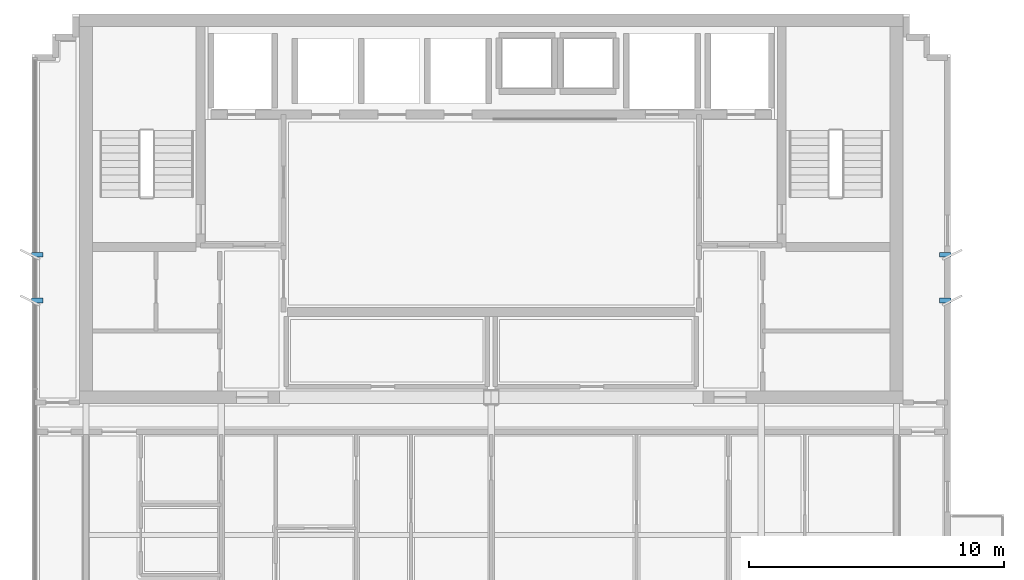
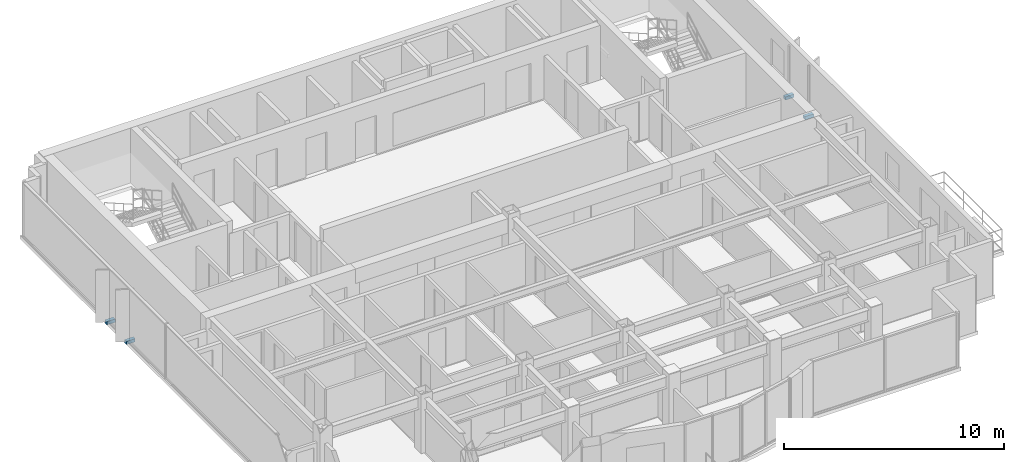
# One storey, part 9 of 11: 4 discrete accessories.
"""IFC4 building model written with IfcOpenShell, lengths in metres."""

from ifc_helpers import new_model, si_unit, direction, frame, origin, origin_2d, place, context, subcontext, project, spatial, rectangle, extrude, source, transform, mapped, material, type_object, element, save


model = new_model("IFC4")

# Units and contexts
model_context = context("Model", 3, precision=1e-05, world=origin(), true_north=direction((0.0, 1.0)))
body_context = subcontext(model_context, "Body", "Model", "MODEL_VIEW")
ifc_project = project(units=[si_unit("LENGTHUNIT", "METRE"), si_unit("AREAUNIT", "SQUARE_METRE"), si_unit("VOLUMEUNIT", "CUBIC_METRE"), si_unit("PLANEANGLEUNIT", "RADIAN"), si_unit("MASSUNIT", "GRAM", prefix="KILO")], contexts=[model_context])

# Site, building, storey
site_placement = place(None, origin())
site = spatial("IfcSite", under=ifc_project, at=site_placement, CompositionType="ELEMENT")
building_placement = place(site_placement, origin())
building = spatial("IfcBuilding", under=site, at=building_placement, Name="Qianlan Lanfeng Residences", CompositionType="ELEMENT")
storey_placement = place(building_placement, frame((0.0, 0.0, 262.699951171875)))
storey = spatial("IfcBuildingStorey", under=building, at=storey_placement, Name="L73", CompositionType="ELEMENT", Elevation=262.699951171875)

# Discrete accessories
ifc_material = material(Name="Stainless Steel Facade Bracket", Category="steel")
discrete_accessory_type = type_object("IfcDiscreteAccessoryType", Name="BRK-SS-350", PredefinedType="BRACKET", material=ifc_material)
shared_shape = source(origin(), body_context, "Body", "SweptSolid", [
    extrude(rectangle(XDim=0.449951171875, YDim=0.179931640625, at=origin_2d()), origin(), (0.0, 0.0, 1.0), 0.179931640625),
])
for number, where, z_axis, x_axis, name in (
    (1, (8.679931640625, 29.0, -0.14990234375), (0.0, 0.0, 1.0), (1.0, 0.0, 0.0), "L73 Raked Solar Fin Support Bracket W1"),
    (2, (8.679931640625, 30.800048828125, -0.14990234375), (0.0, 0.0, 1.0), (1.0, 0.0, 0.0), "L73 Raked Solar Fin Support Bracket W2"),
    (3, (44.320068359375, 29.0, -0.14990234375), (0.0, 0.0, 1.0), (1.0, 0.0, 0.0), "L73 Raked Solar Fin Support Bracket E1"),
    (4, (44.320068359375, 30.800048828125, -0.14990234375), (0.0, 0.0, 1.0), (1.0, 0.0, 0.0), "L73 Raked Solar Fin Support Bracket E2"),
):
    element("IfcDiscreteAccessory", number, at=place(storey_placement, frame(where, z_axis=z_axis, x_axis=x_axis)), inside=storey, type_object=discrete_accessory_type, Name=name, PredefinedType="BRACKET", context=body_context, shape_type="MappedRepresentation", body=[
        mapped(shared_shape, transform((0.0, 0.0, 0.0), scale=1.0)),
    ])

save(model, "model.ifc")
